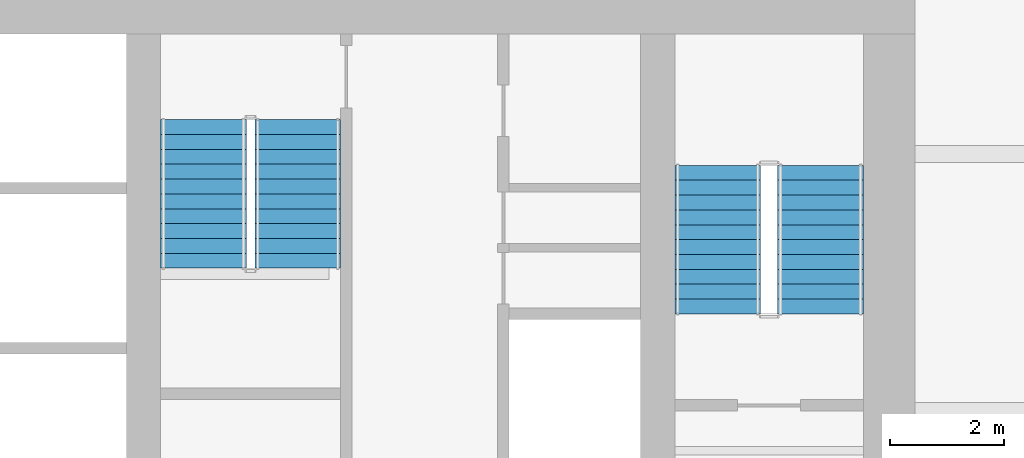
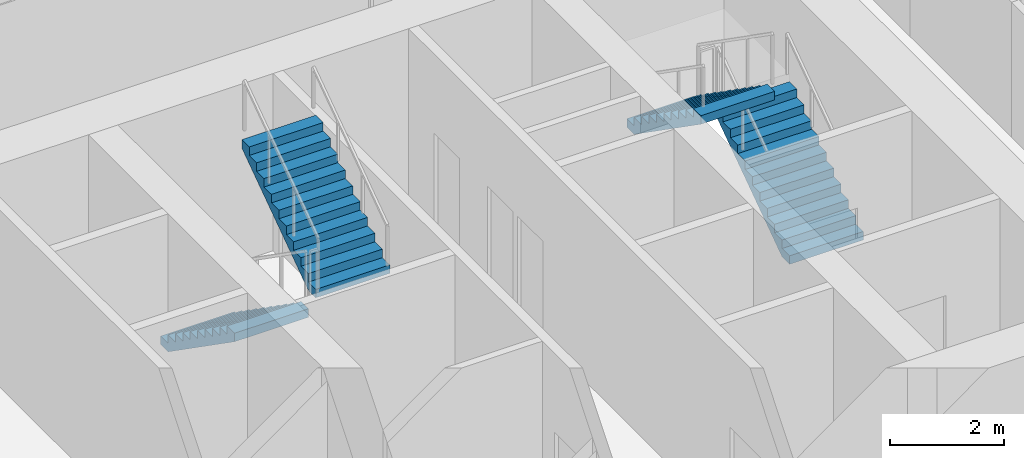
# One storey, part 16 of 19: 4 stair flights, 2 elements without a shape of their own.
"""IFC4 building model written with IfcOpenShell, lengths in metres."""

from ifc_helpers import new_model, si_unit, direction, frame, origin, place, context, subcontext, project, spatial, polyline, outline, extrude, material, type_object, element, aggregate, save


model = new_model("IFC4")

# Units and contexts
model_context = context("Model", 3, precision=1e-05, world=origin(), true_north=direction((0.0, 1.0)))
body_context = subcontext(model_context, "Body", "Model", "MODEL_VIEW")
ifc_project = project(units=[si_unit("LENGTHUNIT", "METRE"), si_unit("AREAUNIT", "SQUARE_METRE"), si_unit("VOLUMEUNIT", "CUBIC_METRE"), si_unit("PLANEANGLEUNIT", "RADIAN"), si_unit("MASSUNIT", "GRAM", prefix="KILO")], contexts=[model_context])

# Site, building, storey
site_placement = place(None, origin())
site = spatial("IfcSite", under=ifc_project, at=site_placement, CompositionType="ELEMENT")
building_placement = place(site_placement, origin())
building = spatial("IfcBuilding", under=site, at=building_placement, Name="Rattan Terrace Tower", CompositionType="ELEMENT")
storey_placement = place(building_placement, frame((0.0, 0.0, 79.699951171875)))
storey = spatial("IfcBuildingStorey", under=building, at=storey_placement, Name="L17", CompositionType="ELEMENT", Elevation=79.699951171875)

# Stair, stair flights
ifc_material_1 = material(Name="Concrete C40/50", Category="concrete")
stair_type = type_object("IfcStairType", Name="Core exit stair 1500", PredefinedType="HALF_TURN_STAIR", material=ifc_material_1)
stair_1_placement = place(storey_placement, origin())
stair_1 = element("IfcStair", 1, at=stair_1_placement, inside=storey, type_object=stair_type, Name="L17 exit stair 2", PredefinedType="HALF_TURN_STAIR")
ifc_material_2 = material(Name="Concrete C40/50", Category="concrete")
stair_flight_type = type_object("IfcStairFlightType", Name="Core exit stair flight 1500", PredefinedType="STRAIGHT", material=ifc_material_2)
stair_flight_1_placement = place(storey_placement, frame((16.35009765625, 1.699951171875, 0.0), z_axis=(0.0, 0.0, 1.0), x_axis=(0.0, 1.0, 0.0)))
stair_flight_1 = element("IfcStairFlight", 2, at=stair_flight_1_placement, type_object=stair_flight_type, Name="S2 flight 1", NumberOfRisers=11, NumberOfTreads=10, PredefinedType="STRAIGHT", RiserHeight=0.181818182, TreadLength=0.26, context=body_context, shape_type="SweptSolid", body=[
    extrude(outline(polyline([(0.0, 0.0), (0.0, 0.181884765625), (0.260009765625, 0.181884765625), (0.260009765625, 0.363525390625), (0.52001953125, 0.363525390625), (0.52001953125, 0.54541015625), (0.780029296875, 0.54541015625), (0.780029296875, 0.727294921875), (1.0400390625, 0.727294921875), (1.0400390625, 0.9091796875), (1.300048828125, 0.9091796875), (1.300048828125, 1.0908203125), (1.56005859375, 1.0908203125), (1.56005859375, 1.272705078125), (1.820068359375, 1.272705078125), (1.820068359375, 1.45458984375), (2.080078125, 1.45458984375), (2.080078125, 1.636474609375), (2.340087890625, 1.636474609375), (2.340087890625, 1.818115234375), (2.60009765625, 1.818115234375), (2.60009765625, 2.0), (2.60009765625, 1.63525390625), (0.261474609375, 0.0), (0.0, 0.0)])), frame((0.0, 0.75, 0.0), z_axis=(0.0, -1.0, 0.0), x_axis=(1.0, 0.0, 0.0)), (0.0, 0.0, 1.0), 1.5),
])
stair_flight_2_placement = place(storey_placement, frame((14.550048828125, 4.300048828125, 2.0), z_axis=(0.0, 0.0, 1.0), x_axis=(0.0, -1.0, 0.0)))
stair_flight_2 = element("IfcStairFlight", 3, at=stair_flight_2_placement, type_object=stair_flight_type, Name="S2 flight 2", NumberOfRisers=11, NumberOfTreads=10, PredefinedType="STRAIGHT", RiserHeight=0.181818182, TreadLength=0.26, context=body_context, shape_type="SweptSolid", body=[
    extrude(outline(polyline([(0.0, 0.0), (0.0, 0.181884765625), (0.260009765625, 0.181884765625), (0.260009765625, 0.363525390625), (0.52001953125, 0.363525390625), (0.52001953125, 0.54541015625), (0.780029296875, 0.54541015625), (0.780029296875, 0.727294921875), (1.0400390625, 0.727294921875), (1.0400390625, 0.9091796875), (1.300048828125, 0.9091796875), (1.300048828125, 1.0908203125), (1.56005859375, 1.0908203125), (1.56005859375, 1.272705078125), (1.820068359375, 1.272705078125), (1.820068359375, 1.45458984375), (2.080078125, 1.45458984375), (2.080078125, 1.636474609375), (2.340087890625, 1.636474609375), (2.340087890625, 1.818115234375), (2.60009765625, 1.818115234375), (2.60009765625, 2.0), (2.60009765625, 1.63525390625), (0.261474609375, 0.0), (0.0, 0.0)])), frame((0.0, 0.75, 0.0), z_axis=(0.0, -1.0, 0.0), x_axis=(1.0, 0.0, 0.0)), (0.0, 0.0, 1.0), 1.5),
])
aggregate(stair_1, [stair_flight_1, stair_flight_2])

stair_2_placement = place(storey_placement, origin())
stair_2 = element("IfcStair", 4, at=stair_2_placement, inside=storey, type_object=stair_type, Name="L17 exit stair 3", PredefinedType="HALF_TURN_STAIR")
stair_flight_3_placement = place(storey_placement, frame((5.550048828125, 5.10009765625, 0.0), z_axis=(0.0, 0.0, 1.0), x_axis=(0.0, -1.0, 0.0)))
stair_flight_3 = element("IfcStairFlight", 5, at=stair_flight_3_placement, type_object=stair_flight_type, Name="S3 flight 1", NumberOfRisers=11, NumberOfTreads=10, PredefinedType="STRAIGHT", RiserHeight=0.181818182, TreadLength=0.26, context=body_context, shape_type="SweptSolid", body=[
    extrude(outline(polyline([(0.0, 0.0), (0.0, 0.181884765625), (0.260009765625, 0.181884765625), (0.260009765625, 0.363525390625), (0.52001953125, 0.363525390625), (0.52001953125, 0.54541015625), (0.780029296875, 0.54541015625), (0.780029296875, 0.727294921875), (1.0400390625, 0.727294921875), (1.0400390625, 0.9091796875), (1.300048828125, 0.9091796875), (1.300048828125, 1.0908203125), (1.56005859375, 1.0908203125), (1.56005859375, 1.272705078125), (1.820068359375, 1.272705078125), (1.820068359375, 1.45458984375), (2.080078125, 1.45458984375), (2.080078125, 1.636474609375), (2.340087890625, 1.636474609375), (2.340087890625, 1.818115234375), (2.60009765625, 1.818115234375), (2.60009765625, 2.0), (2.60009765625, 1.63525390625), (0.261474609375, 0.0), (0.0, 0.0)])), frame((0.0, 0.75, 0.0), z_axis=(0.0, -1.0, 0.0), x_axis=(1.0, 0.0, 0.0)), (0.0, 0.0, 1.0), 1.5),
])
stair_flight_4_placement = place(storey_placement, frame((7.199951171875, 2.5, 2.0), z_axis=(0.0, 0.0, 1.0), x_axis=(0.0, 1.0, 0.0)))
stair_flight_4 = element("IfcStairFlight", 6, at=stair_flight_4_placement, type_object=stair_flight_type, Name="S3 flight 2", NumberOfRisers=11, NumberOfTreads=10, PredefinedType="STRAIGHT", RiserHeight=0.181818182, TreadLength=0.26, context=body_context, shape_type="SweptSolid", body=[
    extrude(outline(polyline([(0.0, 0.0), (0.0, 0.181884765625), (0.260009765625, 0.181884765625), (0.260009765625, 0.363525390625), (0.52001953125, 0.363525390625), (0.52001953125, 0.54541015625), (0.780029296875, 0.54541015625), (0.780029296875, 0.727294921875), (1.0400390625, 0.727294921875), (1.0400390625, 0.9091796875), (1.300048828125, 0.9091796875), (1.300048828125, 1.0908203125), (1.56005859375, 1.0908203125), (1.56005859375, 1.272705078125), (1.820068359375, 1.272705078125), (1.820068359375, 1.45458984375), (2.080078125, 1.45458984375), (2.080078125, 1.636474609375), (2.340087890625, 1.636474609375), (2.340087890625, 1.818115234375), (2.60009765625, 1.818115234375), (2.60009765625, 2.0), (2.60009765625, 1.63525390625), (0.261474609375, 0.0), (0.0, 0.0)])), frame((0.0, 0.75, 0.0), z_axis=(0.0, -1.0, 0.0), x_axis=(1.0, 0.0, 0.0)), (0.0, 0.0, 1.0), 1.5),
])
aggregate(stair_2, [stair_flight_3, stair_flight_4])

save(model, "model.ifc")
